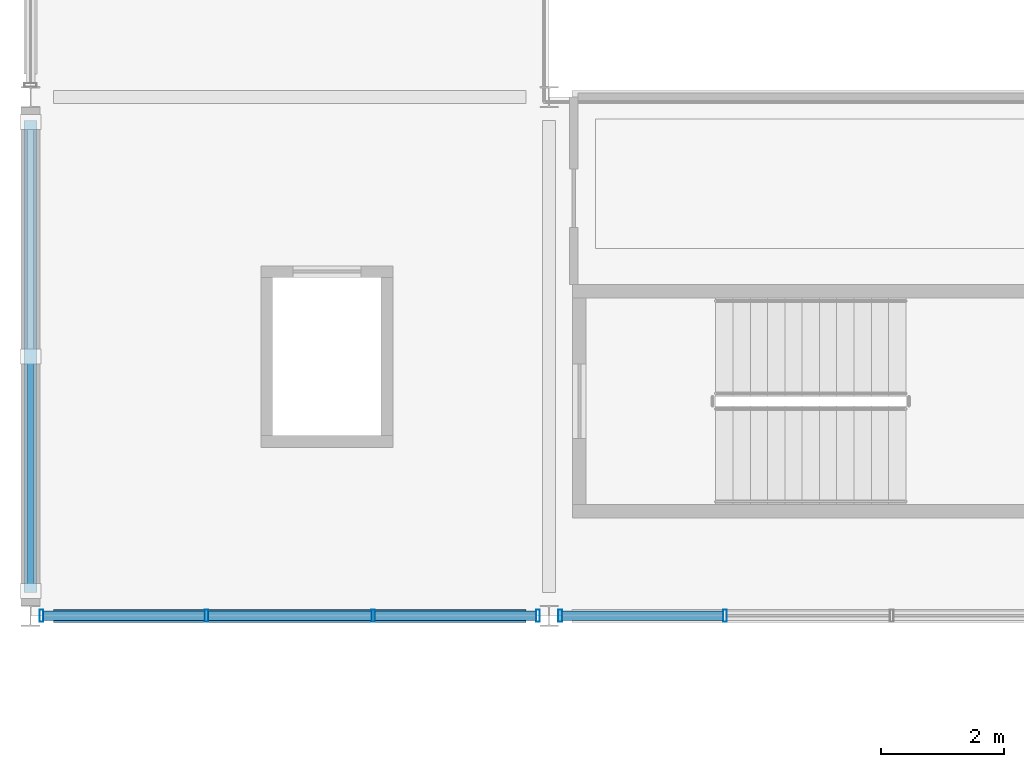
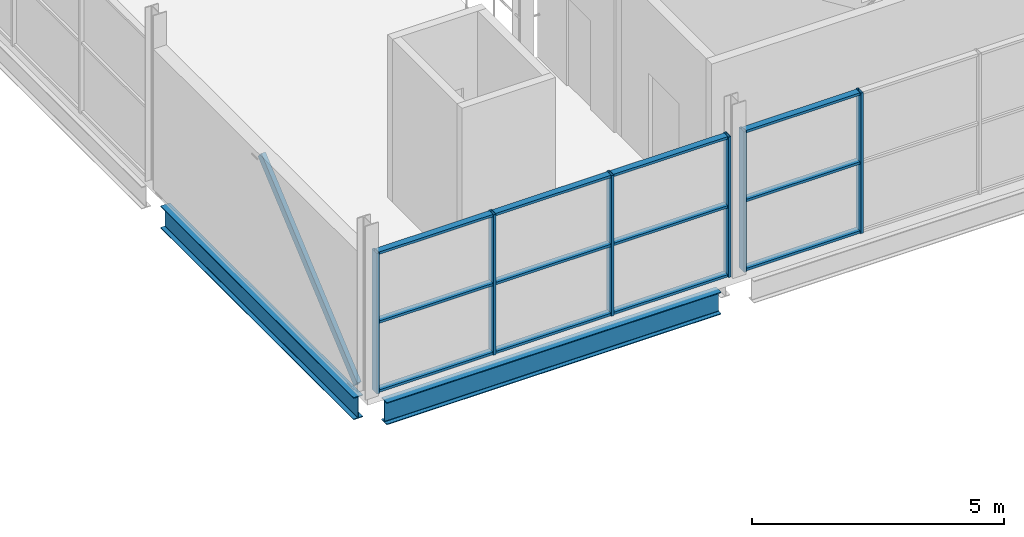
# One storey, part 22 of 161: 19 members, 2 beams, 2 elements without a shape of their own.
"""IFC4 building model written with IfcOpenShell, lengths in metres."""

from ifc_helpers import new_model, si_unit, direction, frame, origin, origin_2d, place, context, subcontext, project, spatial, hollow_rectangle, i_section, extrude, material, material_profile, profile_set, type_object, element, aggregate, save


model = new_model("IFC4")

# Units and contexts
model_context = context("Model", 3, precision=1e-05, world=origin(), true_north=direction((0.0, 1.0)))
body_context = subcontext(model_context, "Body", "Model", "MODEL_VIEW")
ifc_project = project(units=[si_unit("LENGTHUNIT", "METRE"), si_unit("AREAUNIT", "SQUARE_METRE"), si_unit("VOLUMEUNIT", "CUBIC_METRE"), si_unit("PLANEANGLEUNIT", "RADIAN"), si_unit("MASSUNIT", "GRAM", prefix="KILO"), si_unit("THERMODYNAMICTEMPERATUREUNIT", "KELVIN")], contexts=[model_context])

# Site, building, storey
site_placement = place(None, origin())
site = spatial("IfcSite", under=ifc_project, at=site_placement, CompositionType="ELEMENT")
building_placement = place(site_placement, origin())
building = spatial("IfcBuilding", under=site, at=building_placement, Name="Nduvali Passage Aquatics Centre", CompositionType="ELEMENT")
storey_placement = place(building_placement, frame((0.0, 0.0, 4.800048828125)))
storey = spatial("IfcBuildingStorey", under=building, at=storey_placement, Name="L01", CompositionType="ELEMENT", Elevation=4.800048828125)

# Curtain wall, members
ifc_material_1 = material(Name="Aluminium EN AW-6063 T6", Category="aluminium")
curtain_wall_type = type_object("IfcCurtainWallType", Name="ENV-CW-DIVE", PredefinedType="NOTDEFINED", material=ifc_material_1)
curtain_wall_1_placement = place(storey_placement, origin())
curtain_wall_1 = element("IfcCurtainWall", 1, at=curtain_wall_1_placement, inside=storey, type_object=curtain_wall_type, Name="L01 Diving Gallery Clerestory CW 147", PredefinedType="NOTDEFINED")
ifc_material_profile_1 = material_profile(ifc_material_1, hollow_rectangle(XDim=0.06005859375, YDim=0.199951171875, WallThickness=0.00390625, at=origin_2d()), Name="ALU MULLION 60x200x4")
ifc_profile_set_1 = profile_set([ifc_material_profile_1], Name="Aluminium EN AW-6063 T6")
member_type_1 = type_object("IfcMemberType", Name="ENV-MEM-MUL80", PredefinedType="MULLION", material=ifc_profile_set_1)
member_1_placement = place(storey_placement, frame((0.179931640625, 33.60009765625, 0.0), z_axis=(0.0, 0.0, 1.0), x_axis=(1.0, 0.0, 0.0)))
member_1 = element("IfcMember", 2, at=member_1_placement, type_object=member_type_1, Name="Diving Gallery Clerestory CW Mullion 1", PredefinedType="MULLION", context=body_context, shape_type="SweptSolid", body=[
    extrude(hollow_rectangle(XDim=0.06005859375, YDim=0.199951171875, WallThickness=0.00390625, at=origin_2d()), origin(), (0.0, 0.0, 1.0), 3.396484375),
])
member_2_placement = place(storey_placement, frame((2.85009765625, 33.60009765625, 0.0), z_axis=(0.0, 0.0, 1.0), x_axis=(1.0, 0.0, 0.0)))
member_2 = element("IfcMember", 3, at=member_2_placement, type_object=member_type_1, Name="Diving Gallery Clerestory CW Mullion 2", PredefinedType="MULLION", context=body_context, shape_type="SweptSolid", body=[
    extrude(hollow_rectangle(XDim=0.06005859375, YDim=0.199951171875, WallThickness=0.00390625, at=origin_2d()), origin(), (0.0, 0.0, 1.0), 3.396484375),
])
member_3_placement = place(storey_placement, frame((5.550048828125, 33.60009765625, 0.0), z_axis=(0.0, 0.0, 1.0), x_axis=(1.0, 0.0, 0.0)))
member_3 = element("IfcMember", 4, at=member_3_placement, type_object=member_type_1, Name="Diving Gallery Clerestory CW Mullion 3", PredefinedType="MULLION", context=body_context, shape_type="SweptSolid", body=[
    extrude(hollow_rectangle(XDim=0.06005859375, YDim=0.199951171875, WallThickness=0.00390625, at=origin_2d()), origin(), (0.0, 0.0, 1.0), 3.396484375),
])
member_4_placement = place(storey_placement, frame((8.219970703125, 33.60009765625, 0.0), z_axis=(0.0, 0.0, 1.0), x_axis=(1.0, 0.0, 0.0)))
member_4 = element("IfcMember", 5, at=member_4_placement, type_object=member_type_1, Name="Diving Gallery Clerestory CW Mullion 4", PredefinedType="MULLION", context=body_context, shape_type="SweptSolid", body=[
    extrude(hollow_rectangle(XDim=0.06005859375, YDim=0.199951171875, WallThickness=0.00390625, at=origin_2d()), origin(), (0.0, 0.0, 1.0), 3.396484375),
])

curtain_wall_2_placement = place(storey_placement, origin())
curtain_wall_2 = element("IfcCurtainWall", 6, at=curtain_wall_2_placement, inside=storey, type_object=curtain_wall_type, Name="L01 Diving Gallery Clerestory CW 149", PredefinedType="NOTDEFINED")
member_5_placement = place(storey_placement, frame((8.580078125, 33.60009765625, 0.0), z_axis=(0.0, 0.0, 1.0), x_axis=(1.0, 0.0, 0.0)))
member_5 = element("IfcMember", 7, at=member_5_placement, type_object=member_type_1, Name="Diving Gallery Clerestory CW Mullion 1", PredefinedType="MULLION", context=body_context, shape_type="SweptSolid", body=[
    extrude(hollow_rectangle(XDim=0.06005859375, YDim=0.199951171875, WallThickness=0.00390625, at=origin_2d()), origin(), (0.0, 0.0, 1.0), 3.396484375),
])
member_6_placement = place(storey_placement, frame((11.25, 33.60009765625, 0.0), z_axis=(0.0, 0.0, 1.0), x_axis=(1.0, 0.0, 0.0)))
member_6 = element("IfcMember", 8, at=member_6_placement, type_object=member_type_1, Name="Diving Gallery Clerestory CW Mullion 2", PredefinedType="MULLION", context=body_context, shape_type="SweptSolid", body=[
    extrude(hollow_rectangle(XDim=0.06005859375, YDim=0.199951171875, WallThickness=0.00390625, at=origin_2d()), origin(), (0.0, 0.0, 1.0), 3.396484375),
])

# Member
ifc_material_profile_2 = material_profile(ifc_material_1, hollow_rectangle(XDim=0.14990234375, YDim=0.06005859375, WallThickness=0.00390625, at=origin_2d()), Name="ALU TRANSOM 150x60x4")
ifc_profile_set_2 = profile_set([ifc_material_profile_2], Name="Aluminium EN AW-6063 T6")
member_type_2 = type_object("IfcMemberType", Name="ENV-MEM-TRN80", PredefinedType="USERDEFINED", material=ifc_profile_set_2)
member_7_placement = place(storey_placement, frame((0.2099609375, 33.60009765625, 0.030029296875), z_axis=(1.0, 0.0, 0.0), x_axis=(0.0, 1.0, 0.0)))
member_7 = element("IfcMember", 9, at=member_7_placement, type_object=member_type_2, Name="Diving Gallery Clerestory CW Transom B1-R0", ObjectType="TRANSOM", PredefinedType="USERDEFINED", context=body_context, shape_type="SweptSolid", body=[
    extrude(hollow_rectangle(XDim=0.14990234375, YDim=0.06005859375, WallThickness=0.00390625, at=origin_2d()), origin(), (0.0, 0.0, 1.0), 2.610107421875),
])

member_8_placement = place(storey_placement, frame((0.2099609375, 33.60009765625, 1.6982421875), z_axis=(1.0, 0.0, 0.0), x_axis=(0.0, 1.0, 0.0)))
member_8 = element("IfcMember", 10, at=member_8_placement, type_object=member_type_2, Name="Diving Gallery Clerestory CW Transom B1-R1", ObjectType="TRANSOM", PredefinedType="USERDEFINED", context=body_context, shape_type="SweptSolid", body=[
    extrude(hollow_rectangle(XDim=0.14990234375, YDim=0.06005859375, WallThickness=0.00390625, at=origin_2d()), origin(), (0.0, 0.0, 1.0), 2.610107421875),
])

member_9_placement = place(storey_placement, frame((0.2099609375, 33.60009765625, 3.366455078125), z_axis=(1.0, 0.0, 0.0), x_axis=(0.0, 1.0, 0.0)))
member_9 = element("IfcMember", 11, at=member_9_placement, type_object=member_type_2, Name="Diving Gallery Clerestory CW Transom B1-R2", ObjectType="TRANSOM", PredefinedType="USERDEFINED", context=body_context, shape_type="SweptSolid", body=[
    extrude(hollow_rectangle(XDim=0.14990234375, YDim=0.06005859375, WallThickness=0.00390625, at=origin_2d()), origin(), (0.0, 0.0, 1.0), 2.610107421875),
])

member_10_placement = place(storey_placement, frame((2.8798828125, 33.60009765625, 0.030029296875), z_axis=(1.0, 0.0, 0.0), x_axis=(0.0, 1.0, 0.0)))
member_10 = element("IfcMember", 12, at=member_10_placement, type_object=member_type_2, Name="Diving Gallery Clerestory CW Transom B2-R0", ObjectType="TRANSOM", PredefinedType="USERDEFINED", context=body_context, shape_type="SweptSolid", body=[
    extrude(hollow_rectangle(XDim=0.14990234375, YDim=0.06005859375, WallThickness=0.00390625, at=origin_2d()), origin(), (0.0, 0.0, 1.0), 2.64013671875),
])

member_11_placement = place(storey_placement, frame((2.8798828125, 33.60009765625, 1.6982421875), z_axis=(1.0, 0.0, 0.0), x_axis=(0.0, 1.0, 0.0)))
member_11 = element("IfcMember", 13, at=member_11_placement, type_object=member_type_2, Name="Diving Gallery Clerestory CW Transom B2-R1", ObjectType="TRANSOM", PredefinedType="USERDEFINED", context=body_context, shape_type="SweptSolid", body=[
    extrude(hollow_rectangle(XDim=0.14990234375, YDim=0.06005859375, WallThickness=0.00390625, at=origin_2d()), origin(), (0.0, 0.0, 1.0), 2.64013671875),
])

member_12_placement = place(storey_placement, frame((2.8798828125, 33.60009765625, 3.366455078125), z_axis=(1.0, 0.0, 0.0), x_axis=(0.0, 1.0, 0.0)))
member_12 = element("IfcMember", 14, at=member_12_placement, type_object=member_type_2, Name="Diving Gallery Clerestory CW Transom B2-R2", ObjectType="TRANSOM", PredefinedType="USERDEFINED", context=body_context, shape_type="SweptSolid", body=[
    extrude(hollow_rectangle(XDim=0.14990234375, YDim=0.06005859375, WallThickness=0.00390625, at=origin_2d()), origin(), (0.0, 0.0, 1.0), 2.64013671875),
])

member_13_placement = place(storey_placement, frame((5.580078125, 33.60009765625, 0.030029296875), z_axis=(1.0, 0.0, 0.0), x_axis=(0.0, 1.0, 0.0)))
member_13 = element("IfcMember", 15, at=member_13_placement, type_object=member_type_2, Name="Diving Gallery Clerestory CW Transom B3-R0", ObjectType="TRANSOM", PredefinedType="USERDEFINED", context=body_context, shape_type="SweptSolid", body=[
    extrude(hollow_rectangle(XDim=0.14990234375, YDim=0.06005859375, WallThickness=0.00390625, at=origin_2d()), origin(), (0.0, 0.0, 1.0), 2.60986328125),
])

member_14_placement = place(storey_placement, frame((5.580078125, 33.60009765625, 1.6982421875), z_axis=(1.0, 0.0, 0.0), x_axis=(0.0, 1.0, 0.0)))
member_14 = element("IfcMember", 16, at=member_14_placement, type_object=member_type_2, Name="Diving Gallery Clerestory CW Transom B3-R1", ObjectType="TRANSOM", PredefinedType="USERDEFINED", context=body_context, shape_type="SweptSolid", body=[
    extrude(hollow_rectangle(XDim=0.14990234375, YDim=0.06005859375, WallThickness=0.00390625, at=origin_2d()), origin(), (0.0, 0.0, 1.0), 2.60986328125),
])

member_15_placement = place(storey_placement, frame((5.580078125, 33.60009765625, 3.366455078125), z_axis=(1.0, 0.0, 0.0), x_axis=(0.0, 1.0, 0.0)))
member_15 = element("IfcMember", 17, at=member_15_placement, type_object=member_type_2, Name="Diving Gallery Clerestory CW Transom B3-R2", ObjectType="TRANSOM", PredefinedType="USERDEFINED", context=body_context, shape_type="SweptSolid", body=[
    extrude(hollow_rectangle(XDim=0.14990234375, YDim=0.06005859375, WallThickness=0.00390625, at=origin_2d()), origin(), (0.0, 0.0, 1.0), 2.60986328125),
])

aggregate(curtain_wall_1, [member_1, member_2, member_3, member_4, member_7, member_8, member_9, member_10, member_11, member_12, member_13, member_14, member_15])

member_16_placement = place(storey_placement, frame((8.610107421875, 33.60009765625, 0.030029296875), z_axis=(1.0, 0.0, 0.0), x_axis=(0.0, 1.0, 0.0)))
member_16 = element("IfcMember", 18, at=member_16_placement, type_object=member_type_2, Name="Diving Gallery Clerestory CW Transom B1-R0", ObjectType="TRANSOM", PredefinedType="USERDEFINED", context=body_context, shape_type="SweptSolid", body=[
    extrude(hollow_rectangle(XDim=0.14990234375, YDim=0.06005859375, WallThickness=0.00390625, at=origin_2d()), origin(), (0.0, 0.0, 1.0), 2.60986328125),
])

member_17_placement = place(storey_placement, frame((8.610107421875, 33.60009765625, 1.6982421875), z_axis=(1.0, 0.0, 0.0), x_axis=(0.0, 1.0, 0.0)))
member_17 = element("IfcMember", 19, at=member_17_placement, type_object=member_type_2, Name="Diving Gallery Clerestory CW Transom B1-R1", ObjectType="TRANSOM", PredefinedType="USERDEFINED", context=body_context, shape_type="SweptSolid", body=[
    extrude(hollow_rectangle(XDim=0.14990234375, YDim=0.06005859375, WallThickness=0.00390625, at=origin_2d()), origin(), (0.0, 0.0, 1.0), 2.60986328125),
])

member_18_placement = place(storey_placement, frame((8.610107421875, 33.60009765625, 3.366455078125), z_axis=(1.0, 0.0, 0.0), x_axis=(0.0, 1.0, 0.0)))
member_18 = element("IfcMember", 20, at=member_18_placement, type_object=member_type_2, Name="Diving Gallery Clerestory CW Transom B1-R2", ObjectType="TRANSOM", PredefinedType="USERDEFINED", context=body_context, shape_type="SweptSolid", body=[
    extrude(hollow_rectangle(XDim=0.14990234375, YDim=0.06005859375, WallThickness=0.00390625, at=origin_2d()), origin(), (0.0, 0.0, 1.0), 2.60986328125),
])

aggregate(curtain_wall_2, [member_5, member_6, member_16, member_17, member_18])

# Beams
ifc_material_2 = material(Name="Steel S355", Category="steel")
ifc_material_profile_3 = material_profile(ifc_material_2, i_section(OverallWidth=0.210693359375, OverallDepth=0.53955078125, WebThickness=0.01171875, FlangeThickness=0.018798828125, FilletRadius=0.0126953125, at=origin_2d()), Name="UKB 533x210x109")
ifc_profile_set_3 = profile_set([ifc_material_profile_3], Name="Steel S355")
beam_type_1 = type_object("IfcBeamType", Name="STR-BM-UKB533", PredefinedType="BEAM", material=ifc_profile_set_3)
beam_1_placement = place(storey_placement, frame((0.375, 33.60009765625, -0.553955078125), z_axis=(1.0, 0.0, 0.0), x_axis=(0.0, 1.0, 0.0)))
element("IfcBeam", 21, at=beam_1_placement, inside=storey, type_object=beam_type_1, Name="L01 Primary X-Girder B6-0456", PredefinedType="BEAM", context=body_context, shape_type="SweptSolid", body=[
    extrude(i_section(OverallWidth=0.210693359375, OverallDepth=0.53955078125, WebThickness=0.01171875, FlangeThickness=0.018798828125, FilletRadius=0.0126953125, at=origin_2d()), origin(), (0.0, 0.0, 1.0), 7.64990234375),
])
ifc_material_profile_4 = material_profile(ifc_material_2, i_section(OverallWidth=0.210693359375, OverallDepth=0.53955078125, WebThickness=0.01171875, FlangeThickness=0.018798828125, FilletRadius=0.0126953125, at=origin_2d()), Name="UKB 533x210x109")
ifc_profile_set_4 = profile_set([ifc_material_profile_4], Name="Steel S355")
beam_type_2 = type_object("IfcBeamType", Name="STR-BM-UKB533-EXT", PredefinedType="BEAM", material=ifc_profile_set_4)
beam_2_placement = place(storey_placement, frame((0.0, 33.97509765625, -0.553955078125), z_axis=(0.0, 1.0, 0.0), x_axis=(-1.0, 0.0, 0.0)))
element("IfcBeam", 22, at=beam_2_placement, inside=storey, type_object=beam_type_2, Name="L01 Primary Y-Girder B6E-0558", PredefinedType="BEAM", context=body_context, shape_type="SweptSolid", body=[
    extrude(i_section(OverallWidth=0.210693359375, OverallDepth=0.53955078125, WebThickness=0.01171875, FlangeThickness=0.018798828125, FilletRadius=0.0126953125, at=origin_2d()), origin(), (0.0, 0.0, 1.0), 7.64990234375),
])

# Member
ifc_material_profile_5 = material_profile(ifc_material_2, hollow_rectangle(XDim=0.10009765625, YDim=0.199951171875, WallThickness=0.00634765625, at=origin_2d()), Name="RHS 200x100x6.3")
ifc_profile_set_5 = profile_set([ifc_material_profile_5], Name="Steel S355")
member_type_3 = type_object("IfcMemberType", Name="STR-MEM-RHS200", PredefinedType="BRACE", material=ifc_profile_set_5)
member_19_placement = place(storey_placement, frame((0.0, 34.0, 0.0), z_axis=(0.0, 0.759966128162, 0.649962678965), x_axis=(-1.0, 0.0, 0.0)))
element("IfcMember", 23, at=member_19_placement, inside=storey, type_object=member_type_3, Name="L01 Chevron Frame Brace 2L", PredefinedType="BRACE", context=body_context, shape_type="SweptSolid", body=[
    extrude(hollow_rectangle(XDim=0.10009765625, YDim=0.199951171875, WallThickness=0.00634765625, at=origin_2d()), origin(), (0.0, 0.0, 1.0), 5.000244140625),
])

save(model, "model.ifc")
